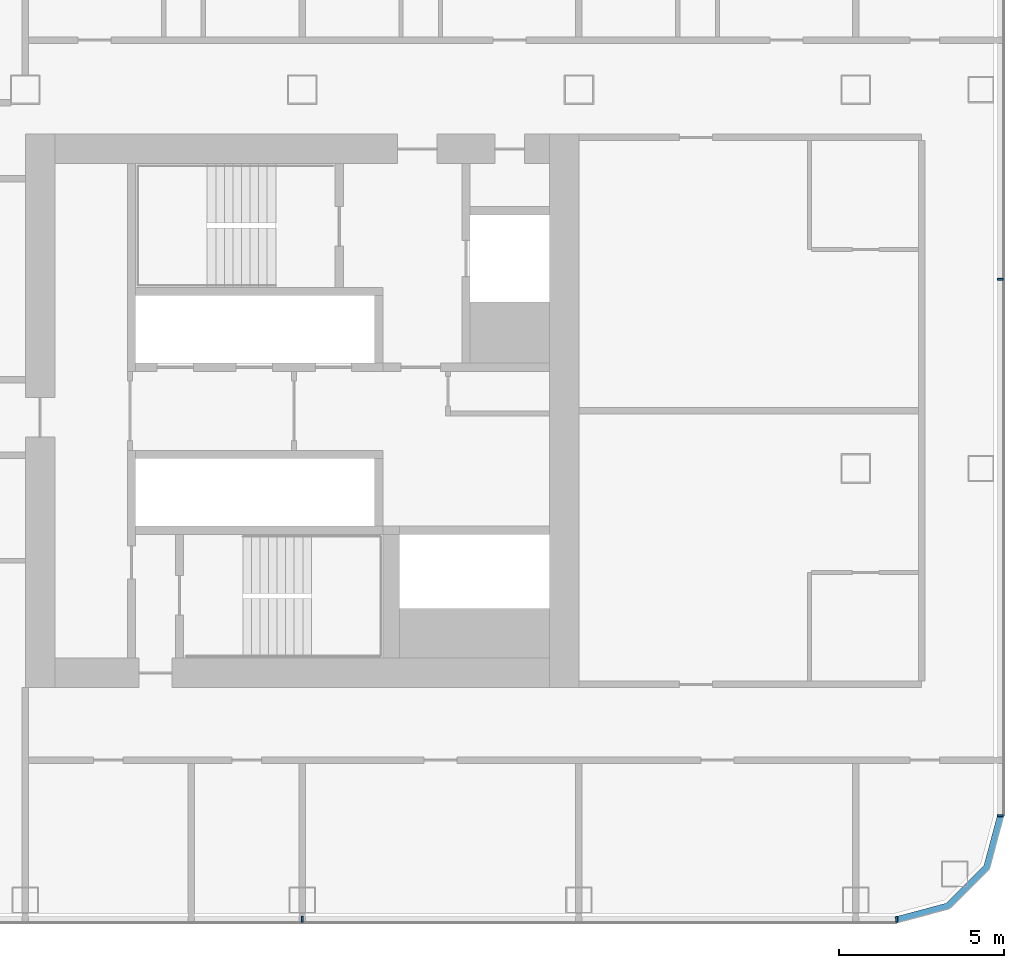
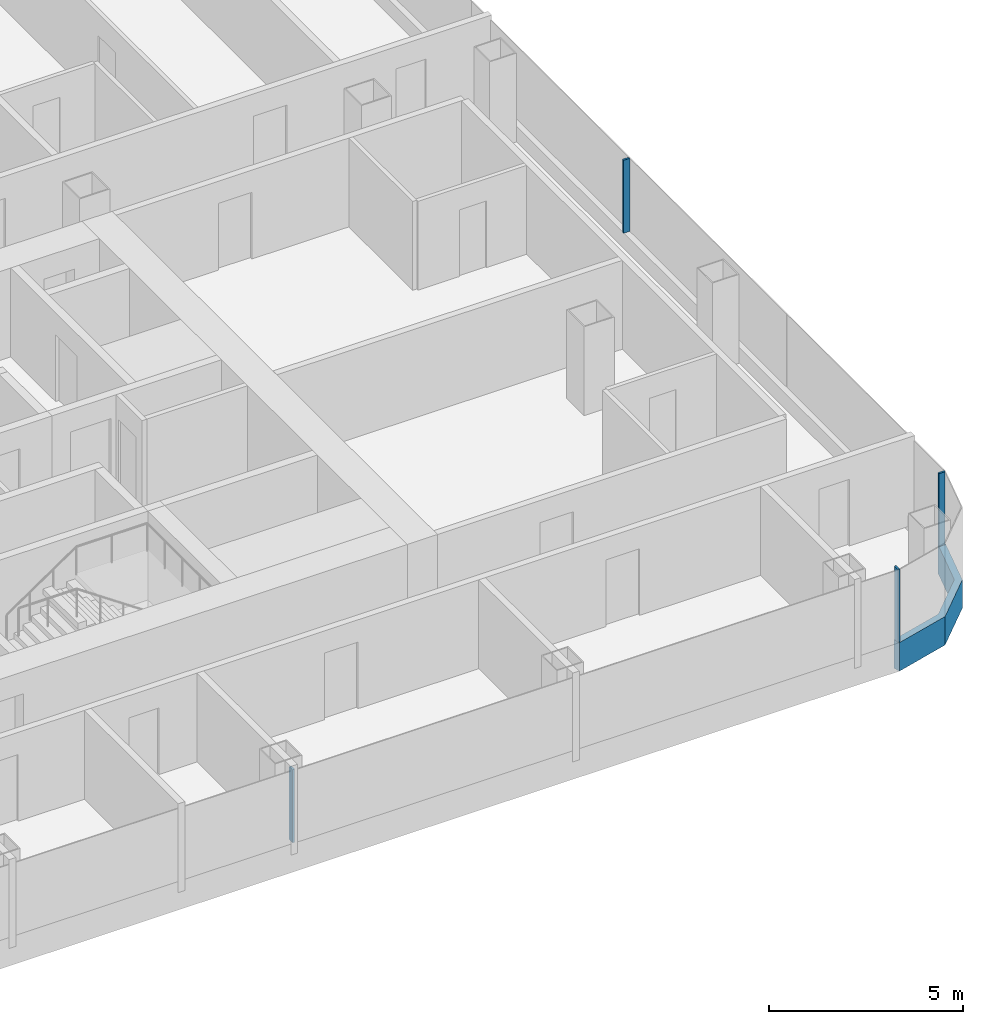
# One storey, part 11 of 29: 5 members, 3 elements without a shape of their own.
"""IFC4 building model written with IfcOpenShell, lengths in metres."""

from ifc_helpers import new_model, si_unit, direction, frame, origin, origin_2d, place, context, subcontext, project, spatial, polyline, rectangle, outline, extrude, material, layer, layer_set, material_profile, profile_set, type_object, element, aggregate, save


model = new_model("IFC4")

# Units and contexts
model_context = context("Model", 3, precision=1e-05, world=origin(), true_north=direction((0.0, 1.0)))
body_context = subcontext(model_context, "Body", "Model", "MODEL_VIEW")
ifc_project = project(units=[si_unit("LENGTHUNIT", "METRE"), si_unit("AREAUNIT", "SQUARE_METRE"), si_unit("VOLUMEUNIT", "CUBIC_METRE"), si_unit("PLANEANGLEUNIT", "RADIAN"), si_unit("MASSUNIT", "GRAM", prefix="KILO")], contexts=[model_context])

# Site, building, storey
site_placement = place(None, origin())
site = spatial("IfcSite", under=ifc_project, at=site_placement, CompositionType="ELEMENT")
building_placement = place(site_placement, origin())
building = spatial("IfcBuilding", under=site, at=building_placement, Name="Hakoniwa Tower and Hamabe Station Hall", CompositionType="ELEMENT")
storey_placement = place(building_placement, frame((0.0, 0.0, 104.199951171875)))
storey = spatial("IfcBuildingStorey", under=building, at=storey_placement, Name="L29", CompositionType="ELEMENT", Elevation=104.199951171875)

# Curtain wall, member
ifc_material_1 = material(Name="Dark low-e laminated glass", Category="glass")
ifc_layer = layer(ifc_material_1, 0.199951171875)
ifc_layer_set = layer_set([ifc_layer], Name="CW-1 UNITISED GUEST")
curtain_wall_type = type_object("IfcCurtainWallType", Name="CW-1 UNITISED GUEST", PredefinedType="NOTDEFINED", material=ifc_layer_set)
curtain_wall_1_placement = place(storey_placement, origin())
curtain_wall_1 = element("IfcCurtainWall", 1, at=curtain_wall_1_placement, inside=storey, type_object=curtain_wall_type, Name="CW-1 curtain wall", PredefinedType="NOTDEFINED")
ifc_material_2 = material(Name="Aluminium 6063-T5 black anodised", Category="aluminium")
ifc_material_profile_1 = material_profile(ifc_material_2, rectangle(XDim=0.199951171875, YDim=0.89990234375, at=origin_2d()), Name="CW SLAB-EDGE BAND 900X200")
ifc_profile_set_1 = profile_set([ifc_material_profile_1], Name="Aluminium 6063-T5 black anodised")
member_type_1 = type_object("IfcMemberType", Name="CW SLAB-EDGE BAND 900X200", PredefinedType="USERDEFINED", material=ifc_profile_set_1)
member_1_placement = place(storey_placement, frame((0.0, 0.0, -0.550048828125)))
member_1 = element("IfcMember", 2, at=member_1_placement, type_object=member_type_1, Name="CW-1 transom", ObjectType="TRANSOM", PredefinedType="USERDEFINED", context=body_context, shape_type="SweptSolid", body=[
    extrude(outline(polyline([(43.239501953125, -15.550048828125), (44.855224609375, -15.116943359375), (46.067138671875, -13.9052734375), (46.5, -12.28955078125), (46.306884765625, -12.23779296875), (45.8876953125, -13.8017578125), (44.751708984375, -14.937744140625), (43.187744140625, -15.35693359375), (43.239501953125, -15.550048828125)])), origin(), (0.0, 0.0, 1.0), 0.900146484375),
])
aggregate(curtain_wall_1, [member_1])

# Curtain wall, members
curtain_wall_2_placement = place(storey_placement, origin())
curtain_wall_2 = element("IfcCurtainWall", 3, at=curtain_wall_2_placement, inside=storey, type_object=curtain_wall_type, Name="CW-1 curtain wall", PredefinedType="NOTDEFINED")
ifc_material_3 = material(Name="Aluminium 6063-T5 black anodised", Category="aluminium")
ifc_material_profile_2 = material_profile(ifc_material_3, rectangle(XDim=0.06005859375, YDim=0.179931640625, at=origin_2d()), Name="CW-1 MULLION 60X180")
ifc_profile_set_2 = profile_set([ifc_material_profile_2], Name="Aluminium 6063-T5 black anodised")
member_type_2 = type_object("IfcMemberType", Name="CW-1 MULLION 60X180", PredefinedType="MULLION", material=ifc_profile_set_2)
member_2_placement = place(storey_placement, frame((46.382080078125, -12.28955078125, 0.35009765625), z_axis=(0.0, 0.0, 1.0), x_axis=(0.0, 1.0, 0.0)))
member_2 = element("IfcMember", 4, at=member_2_placement, type_object=member_type_2, Name="CW-1 mullion", PredefinedType="MULLION", context=body_context, shape_type="SweptSolid", body=[
    extrude(rectangle(XDim=0.06005859375, YDim=0.179931640625, at=origin_2d()), origin(), (0.0, 0.0, 1.0), 2.300048828125),
])
member_3_placement = place(storey_placement, frame((46.382080078125, 4.0, 0.35009765625), z_axis=(0.0, 0.0, 1.0), x_axis=(0.0, 1.0, 0.0)))
member_3 = element("IfcMember", 5, at=member_3_placement, type_object=member_type_2, Name="CW-1 mullion", PredefinedType="MULLION", context=body_context, shape_type="SweptSolid", body=[
    extrude(rectangle(XDim=0.06005859375, YDim=0.179931640625, at=origin_2d()), origin(), (0.0, 0.0, 1.0), 2.300048828125),
])
aggregate(curtain_wall_2, [member_2, member_3])

curtain_wall_3_placement = place(storey_placement, origin())
curtain_wall_3 = element("IfcCurtainWall", 6, at=curtain_wall_3_placement, inside=storey, type_object=curtain_wall_type, Name="CW-1 curtain wall", PredefinedType="NOTDEFINED")
member_4_placement = place(storey_placement, frame((25.199951171875, -15.431884765625, 0.35009765625), z_axis=(0.0, 0.0, 1.0), x_axis=(1.0, 0.0, 0.0)))
member_4 = element("IfcMember", 7, at=member_4_placement, type_object=member_type_2, Name="CW-1 mullion", PredefinedType="MULLION", context=body_context, shape_type="SweptSolid", body=[
    extrude(rectangle(XDim=0.06005859375, YDim=0.179931640625, at=origin_2d()), origin(), (0.0, 0.0, 1.0), 2.300048828125),
])
member_5_placement = place(storey_placement, frame((43.239501953125, -15.431884765625, 0.35009765625), z_axis=(0.0, 0.0, 1.0), x_axis=(1.0, 0.0, 0.0)))
member_5 = element("IfcMember", 8, at=member_5_placement, type_object=member_type_2, Name="CW-1 mullion", PredefinedType="MULLION", context=body_context, shape_type="SweptSolid", body=[
    extrude(rectangle(XDim=0.06005859375, YDim=0.179931640625, at=origin_2d()), origin(), (0.0, 0.0, 1.0), 2.300048828125),
])
aggregate(curtain_wall_3, [member_4, member_5])

save(model, "model.ifc")
